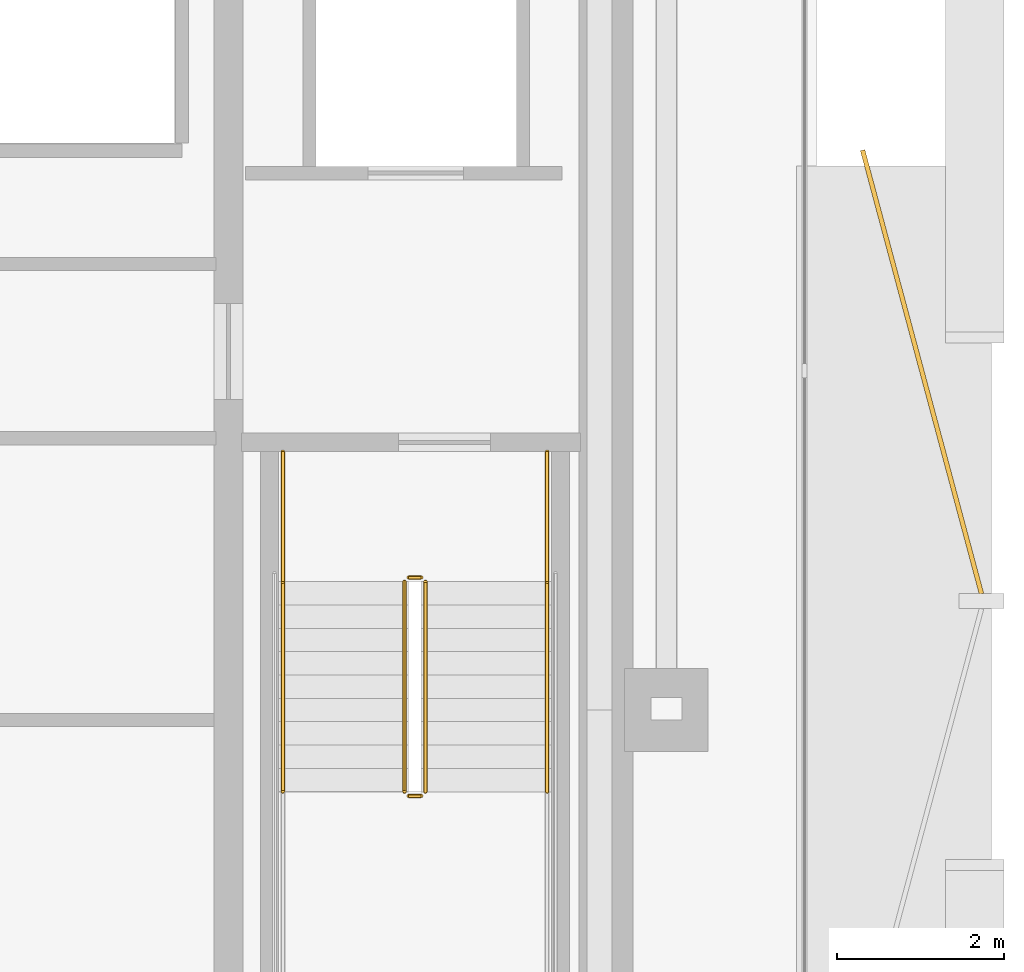
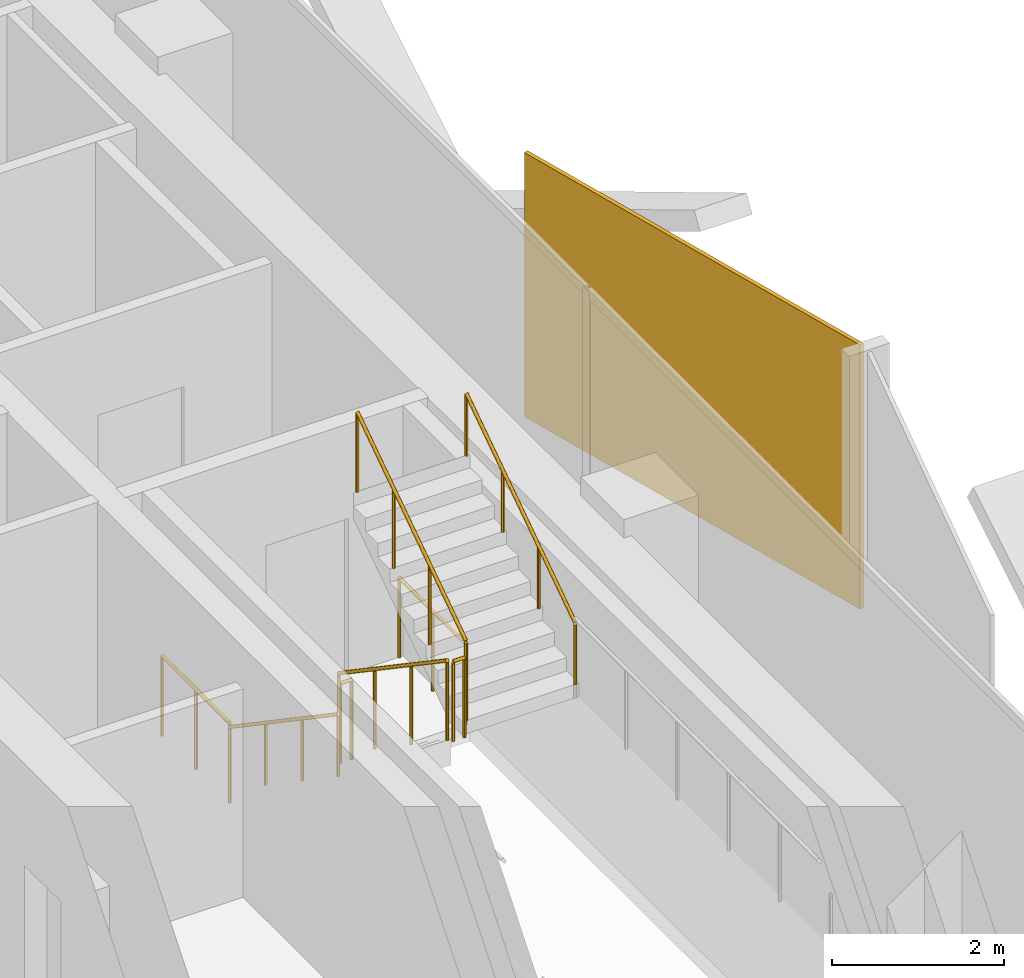
# One storey, part 14 of 16: 8 railings, 1 covering.
"""IFC4 building model written with IfcOpenShell, lengths in metres."""

from ifc_helpers import new_model, si_unit, direction, frame, origin, origin_2d, place, context, subcontext, project, spatial, rectangle, circle, extrude, material, layer, layer_set, type_object, element, save


model = new_model("IFC4")

# Units and contexts
model_context = context("Model", 3, precision=1e-05, world=origin(), true_north=direction((0.0, 1.0)))
body_context = subcontext(model_context, "Body", "Model", "MODEL_VIEW")
ifc_project = project(units=[si_unit("LENGTHUNIT", "METRE"), si_unit("AREAUNIT", "SQUARE_METRE"), si_unit("VOLUMEUNIT", "CUBIC_METRE"), si_unit("PLANEANGLEUNIT", "RADIAN"), si_unit("MASSUNIT", "GRAM", prefix="KILO")], contexts=[model_context])

# Site, building, storey
site_placement = place(None, origin())
site = spatial("IfcSite", under=ifc_project, at=site_placement, CompositionType="ELEMENT")
building_placement = place(site_placement, origin())
building = spatial("IfcBuilding", under=site, at=building_placement, Name="Khairoan Windgate Tower", CompositionType="ELEMENT")
storey_placement = place(building_placement, frame((0.0, 0.0, 206.800048828125)))
storey = spatial("IfcBuildingStorey", under=building, at=storey_placement, Name="L48", CompositionType="ELEMENT", Elevation=206.800048828125)

# Covering
ifc_material_1 = material(Name="Anodised Bronze Aluminium 6063-T6", Category="aluminium")
ifc_layer = layer(ifc_material_1, 0.054931640625, Name="Anodised Bronze Aluminium 6063-T6")
ifc_layer_set = layer_set([ifc_layer], Name="Anodised Bronze Aluminium 6063-T6")
covering_type = type_object("IfcCoveringType", Name="Perforated Bronze-Ceramic Folded Solar Screen Cladding BSC-1", PredefinedType="CLADDING", material=ifc_layer_set)
covering_placement = place(storey_placement, frame((23.8671875, -6.74560546875, -0.10009765625), z_axis=(0.0, 0.0, 1.0), x_axis=(0.258819045103, -0.965925826289, 0.0)))
element("IfcCovering", 1, at=covering_placement, inside=storey, type_object=covering_type, Name="L48 Folded Bronze Solar Screen Facet 328L", PredefinedType="CLADDING", context=body_context, shape_type="SweptSolid", body=[
    extrude(rectangle(XDim=5.507080078125, YDim=0.054931640625, at=origin_2d()), origin(), (0.0, 0.0, 1.0), 3.739990234375),
])

# Railings
ifc_material_2 = material(Name="Anodised Bronze Aluminium 6063-T6", Category="aluminium")
railing_type_1 = type_object("IfcRailingType", Name="Stair Wall Handrail SHR-900", PredefinedType="HANDRAIL", material=ifc_material_2)
railing_1_placement = place(storey_placement, frame((16.199951171875, -9.260009765625, 0.18994140625)))
element("IfcRailing", 2, at=railing_1_placement, inside=storey, type_object=railing_type_1, Name="L48 ST1 stair handrail 1", PredefinedType="HANDRAIL", context=body_context, shape_type="SweptSolid", body=[
    extrude(circle(Radius=0.02392578125, at=origin_2d()), frame((0.0, 0.0, 0.8759765625), z_axis=(0.0, -0.827483756001, 0.561489655786), x_axis=(1.0, 0.0, 0.0)), (0.0, 0.0, 1.0), 3.04541015625),
    extrude(circle(Radius=0.02099609375, at=origin_2d()), origin(), (0.0, 0.0, 1.0), 0.851806640625),
    extrude(circle(Radius=0.02099609375, at=origin_2d()), frame((0.0, -0.840087890625, 0.570068359375)), (0.0, 0.0, 1.0), 0.851806640625),
    extrude(circle(Radius=0.02099609375, at=origin_2d()), frame((0.0, -1.679931640625, 1.139892578125)), (0.0, 0.0, 1.0), 0.851806640625),
    extrude(circle(Radius=0.02099609375, at=origin_2d()), frame((0.0, -2.52001953125, 1.7099609375)), (0.0, 0.0, 1.0), 0.851806640625),
])
railing_2_placement = place(storey_placement, frame((19.3701171875, -11.780029296875, 2.08984375)))
element("IfcRailing", 3, at=railing_2_placement, inside=storey, type_object=railing_type_1, Name="L48 ST1 stair handrail 2", PredefinedType="HANDRAIL", context=body_context, shape_type="SweptSolid", body=[
    extrude(circle(Radius=0.02392578125, at=origin_2d()), frame((0.0, 0.0, 0.8759765625), z_axis=(0.0, 0.82744650838, 0.561544544778), x_axis=(-1.0, 0.0, 0.0)), (0.0, 0.0, 1.0), 3.045654296875),
    extrude(circle(Radius=0.02099609375, at=origin_2d()), origin(), (0.0, 0.0, 1.0), 0.851806640625),
    extrude(circle(Radius=0.02099609375, at=origin_2d()), frame((0.0, 0.840087890625, 0.570068359375)), (0.0, 0.0, 1.0), 0.851806640625),
    extrude(circle(Radius=0.02099609375, at=origin_2d()), frame((0.0, 1.679931640625, 1.14013671875)), (0.0, 0.0, 1.0), 0.851806640625),
    extrude(circle(Radius=0.02099609375, at=origin_2d()), frame((0.0, 2.52001953125, 1.710205078125)), (0.0, 0.0, 1.0), 0.851806640625),
])
ifc_material_3 = material(Name="Steel S355", Category="steel")
railing_type_2 = type_object("IfcRailingType", Name="Stairwell Safety Guardrail SGR-1150", PredefinedType="GUARDRAIL", material=ifc_material_3)
railing_3_placement = place(storey_placement, frame((17.659912109375, -9.260009765625, 0.18994140625)))
element("IfcRailing", 4, at=railing_3_placement, inside=storey, type_object=railing_type_2, Name="L48 ST1 stair guard 1", PredefinedType="GUARDRAIL", context=body_context, shape_type="SweptSolid", body=[
    extrude(circle(Radius=0.02392578125, at=origin_2d()), frame((0.0, 0.0, 1.1259765625), z_axis=(0.0, -0.827483756001, 0.561489655786), x_axis=(1.0, 0.0, 0.0)), (0.0, 0.0, 1.0), 3.04541015625),
    extrude(circle(Radius=0.02099609375, at=origin_2d()), origin(), (0.0, 0.0, 1.0), 1.101806640625),
    extrude(circle(Radius=0.02099609375, at=origin_2d()), frame((0.0, -0.840087890625, 0.570068359375)), (0.0, 0.0, 1.0), 1.101806640625),
    extrude(circle(Radius=0.02099609375, at=origin_2d()), frame((0.0, -1.679931640625, 1.139892578125)), (0.0, 0.0, 1.0), 1.101806640625),
    extrude(circle(Radius=0.02099609375, at=origin_2d()), frame((0.0, -2.52001953125, 1.7099609375)), (0.0, 0.0, 1.0), 1.101806640625),
])
railing_4_placement = place(storey_placement, frame((17.7099609375, -11.830078125, 1.89990234375)))
element("IfcRailing", 5, at=railing_4_placement, inside=storey, type_object=railing_type_2, Name="L48 ST1 stair guard 2", PredefinedType="GUARDRAIL", context=body_context, shape_type="SweptSolid", body=[
    extrude(circle(Radius=0.02392578125, at=origin_2d()), frame((0.0, 0.0, 1.1259765625), z_axis=(1.0, 0.0, 0.0), x_axis=(0.0, 1.0, 0.0)), (0.0, 0.0, 1.0), 0.150146484375),
    extrude(circle(Radius=0.02099609375, at=origin_2d()), origin(), (0.0, 0.0, 1.0), 1.101806640625),
    extrude(circle(Radius=0.02099609375, at=origin_2d()), frame((0.150146484375, 0.0, 0.0)), (0.0, 0.0, 1.0), 1.101806640625),
])
railing_5_placement = place(storey_placement, frame((17.909912109375, -11.780029296875, 2.08984375)))
element("IfcRailing", 6, at=railing_5_placement, inside=storey, type_object=railing_type_2, Name="L48 ST1 stair guard 6", PredefinedType="GUARDRAIL", context=body_context, shape_type="SweptSolid", body=[
    extrude(circle(Radius=0.02392578125, at=origin_2d()), frame((0.0, 0.0, 1.1259765625), z_axis=(0.0, 0.82744650838, 0.561544544778), x_axis=(-1.0, 0.0, 0.0)), (0.0, 0.0, 1.0), 3.045654296875),
    extrude(circle(Radius=0.02099609375, at=origin_2d()), origin(), (0.0, 0.0, 1.0), 1.101806640625),
    extrude(circle(Radius=0.02099609375, at=origin_2d()), frame((0.0, 0.840087890625, 0.570068359375)), (0.0, 0.0, 1.0), 1.101806640625),
    extrude(circle(Radius=0.02099609375, at=origin_2d()), frame((0.0, 1.679931640625, 1.14013671875)), (0.0, 0.0, 1.0), 1.101806640625),
    extrude(circle(Radius=0.02099609375, at=origin_2d()), frame((0.0, 2.52001953125, 1.710205078125)), (0.0, 0.0, 1.0), 1.101806640625),
])
railing_6_placement = place(storey_placement, frame((17.7099609375, -9.2099609375, 0.0)))
element("IfcRailing", 7, at=railing_6_placement, inside=storey, type_object=railing_type_2, Name="L48 ST1 stair guard 7", PredefinedType="GUARDRAIL", context=body_context, shape_type="SweptSolid", body=[
    extrude(circle(Radius=0.02392578125, at=origin_2d()), frame((0.0, 0.0, 1.1259765625), z_axis=(1.0, 0.0, 0.0), x_axis=(0.0, 1.0, 0.0)), (0.0, 0.0, 1.0), 0.150146484375),
    extrude(circle(Radius=0.02099609375, at=origin_2d()), origin(), (0.0, 0.0, 1.0), 1.101806640625),
    extrude(circle(Radius=0.02099609375, at=origin_2d()), frame((0.150146484375, 0.0, 0.0)), (0.0, 0.0, 1.0), 1.101806640625),
])
for number, where, name in (
    (8, (16.199951171875, -7.699951171875, 0.0), "L48 ST1 stair guard 8"),
    (9, (19.3701171875, -7.699951171875, 0.0), "L48 ST1 stair guard 9"),
):
    element("IfcRailing", number, at=place(storey_placement, frame(where)), inside=storey, type_object=railing_type_2, Name=name, PredefinedType="GUARDRAIL", context=body_context, shape_type="SweptSolid", body=[
        extrude(circle(Radius=0.02392578125, at=origin_2d()), frame((0.0, 0.0, 1.1259765625), z_axis=(0.0, -1.0, 0.0), x_axis=(1.0, 0.0, 0.0)), (0.0, 0.0, 1.0), 1.56005859375),
        extrude(circle(Radius=0.02099609375, at=origin_2d()), origin(), (0.0, 0.0, 1.0), 1.101806640625),
        extrude(circle(Radius=0.02099609375, at=origin_2d()), frame((0.0, -0.780029296875, 0.0)), (0.0, 0.0, 1.0), 1.101806640625),
        extrude(circle(Radius=0.02099609375, at=origin_2d()), frame((0.0, -1.56005859375, 0.0)), (0.0, 0.0, 1.0), 1.101806640625),
    ])

save(model, "model.ifc")
